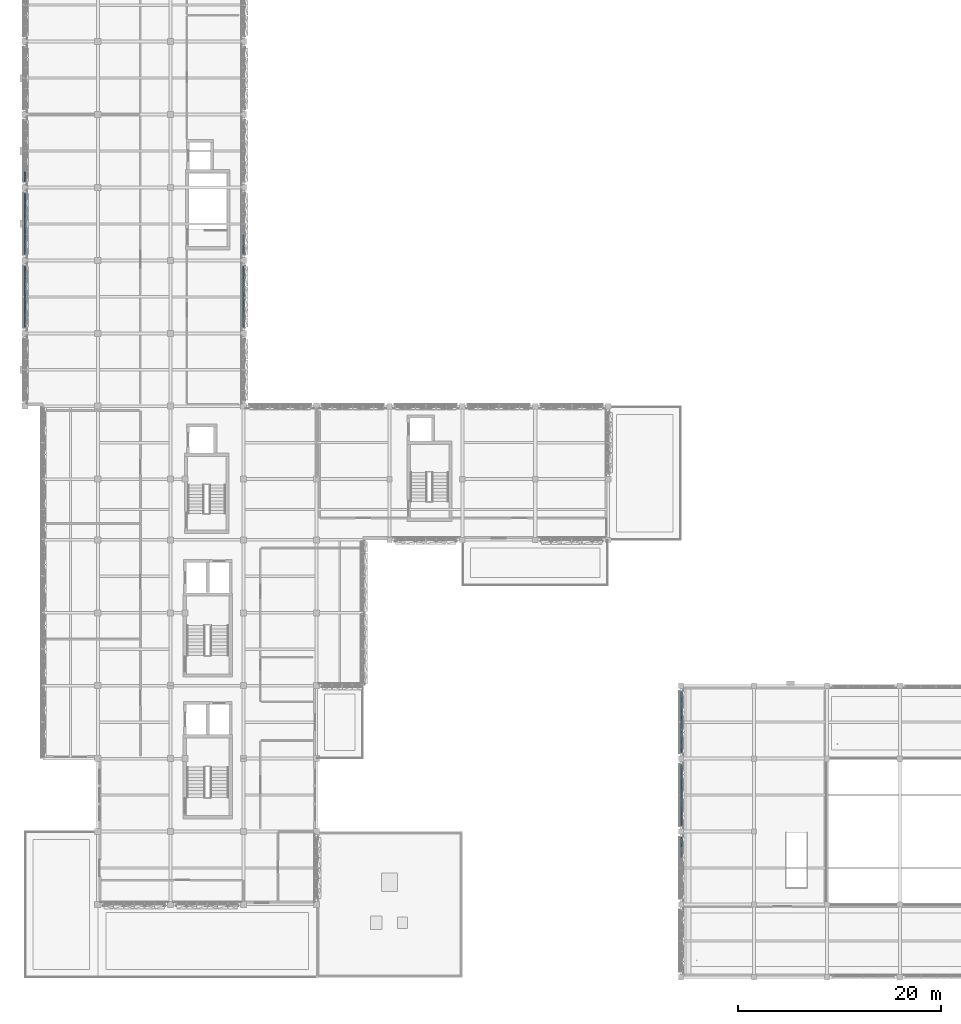
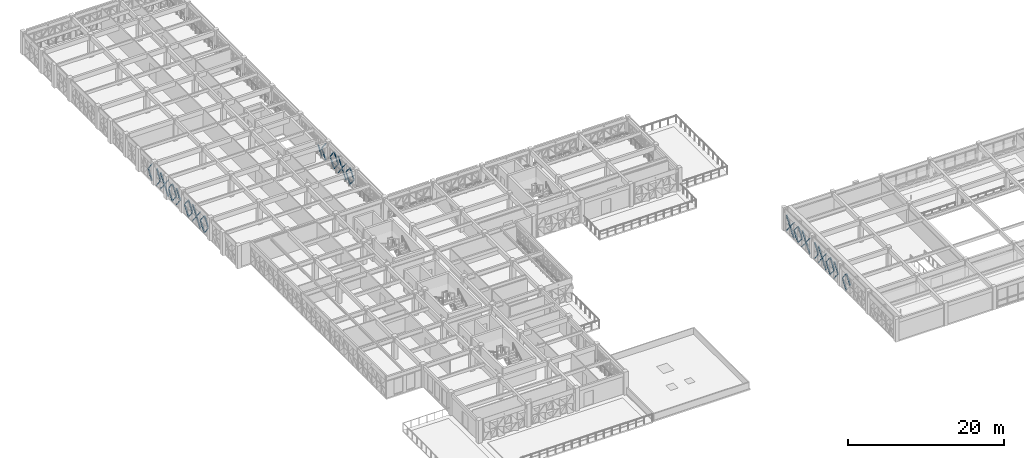
# One storey, part 48 of 74: 68 discrete accessories.
"""IFC4 building model written with IfcOpenShell, lengths in metres."""

from ifc_helpers import new_model, si_unit, direction, frame, origin, origin_2d, place, context, subcontext, project, spatial, rectangle, extrude, material, type_object, element, save


model = new_model("IFC4")

# Units and contexts
model_context = context("Model", 3, precision=1e-05, world=origin(), true_north=direction((0.0, 1.0)))
body_context = subcontext(model_context, "Body", "Model", "MODEL_VIEW")
ifc_project = project(units=[si_unit("LENGTHUNIT", "METRE"), si_unit("AREAUNIT", "SQUARE_METRE"), si_unit("VOLUMEUNIT", "CUBIC_METRE"), si_unit("PLANEANGLEUNIT", "RADIAN"), si_unit("MASSUNIT", "GRAM", prefix="KILO")], contexts=[model_context])

# Site, building, storey
site_placement = place(None, origin())
site = spatial("IfcSite", under=ifc_project, at=site_placement, CompositionType="ELEMENT")
building_placement = place(site_placement, origin())
building = spatial("IfcBuilding", under=site, at=building_placement, Name="Alvorim Cloister Faculty of Sciences", CompositionType="ELEMENT")
storey_placement = place(building_placement, frame((0.0, 0.0, 15.75)))
storey = spatial("IfcBuildingStorey", under=building, at=storey_placement, Name="L04", CompositionType="ELEMENT", Elevation=15.75)

# Discrete accessories
ifc_material = material(Name="Aluminium Alloy 6063-T6", Category="aluminium")
discrete_accessory_type = type_object("IfcDiscreteAccessoryType", Name="ACC-DIAG-BAR", PredefinedType="BRACKET", material=ifc_material)
discrete_accessory_1_placement = place(storey_placement, frame((0.0224609375, 64.205078125, 1.35498046875), z_axis=(0.006561428426, 0.604611624251, -0.796493397008), x_axis=(-0.999941118963, 0.010851663811, 0.0)))
element("IfcDiscreteAccessory", 1, at=discrete_accessory_1_placement, inside=storey, type_object=discrete_accessory_type, Name="Diagonal Cassette Glazing Bracket ACC-01829", PredefinedType="BRACKET", context=body_context, shape_type="SweptSolid", body=[
    extrude(rectangle(XDim=0.139892578125, YDim=0.044921875, at=origin_2d()), origin(), (0.0, 0.0, 1.0), 1.525634765625),
])
discrete_accessory_2_placement = place(storey_placement, frame((0.0224609375, 64.205078125, 1.4951171875), z_axis=(0.006562264866, 0.604688699088, 0.796434877359), x_axis=(-0.999941118963, 0.010851663811, 0.0)))
element("IfcDiscreteAccessory", 2, at=discrete_accessory_2_placement, inside=storey, type_object=discrete_accessory_type, Name="Diagonal Cassette Glazing Bracket ACC-01830", PredefinedType="BRACKET", context=body_context, shape_type="SweptSolid", body=[
    extrude(rectangle(XDim=0.139892578125, YDim=0.044921875, at=origin_2d()), origin(), (0.0, 0.0, 1.0), 1.525390625),
])
discrete_accessory_3_placement = place(storey_placement, frame((0.0224609375, 65.1923828125, 0.139892578125), z_axis=(0.006476523147, 0.617955086572, 0.786186724404), x_axis=(-0.999945083323, 0.010479997039, 0.0)))
element("IfcDiscreteAccessory", 3, at=discrete_accessory_3_placement, inside=storey, type_object=discrete_accessory_type, Name="Diagonal Cassette Glazing Bracket ACC-01831", PredefinedType="BRACKET", context=body_context, shape_type="SweptSolid", body=[
    extrude(rectangle(XDim=0.139892578125, YDim=0.044921875, at=origin_2d()), origin(), (0.0, 0.0, 1.0), 1.545654296875),
])
discrete_accessory_4_placement = place(storey_placement, frame((0.0224609375, 65.1923828125, 2.7099609375), z_axis=(0.00647732753, 0.618031836495, -0.786126385072), x_axis=(-0.999945083323, 0.010479997039, 0.0)))
element("IfcDiscreteAccessory", 4, at=discrete_accessory_4_placement, inside=storey, type_object=discrete_accessory_type, Name="Diagonal Cassette Glazing Bracket ACC-01832", PredefinedType="BRACKET", context=body_context, shape_type="SweptSolid", body=[
    extrude(rectangle(XDim=0.139892578125, YDim=0.044921875, at=origin_2d()), origin(), (0.0, 0.0, 1.0), 1.54541015625),
])
discrete_accessory_5_placement = place(storey_placement, frame((0.0224609375, 66.21240234375, 0.139892578125), z_axis=(0.006476523147, 0.617955086572, 0.786186724404), x_axis=(-0.999945083323, 0.010479997039, 0.0)))
element("IfcDiscreteAccessory", 5, at=discrete_accessory_5_placement, inside=storey, type_object=discrete_accessory_type, Name="Diagonal Cassette Glazing Bracket ACC-01833", PredefinedType="BRACKET", context=body_context, shape_type="SweptSolid", body=[
    extrude(rectangle(XDim=0.139892578125, YDim=0.044921875, at=origin_2d()), origin(), (0.0, 0.0, 1.0), 1.545654296875),
])
discrete_accessory_6_placement = place(storey_placement, frame((0.0224609375, 66.21240234375, 2.7099609375), z_axis=(0.00647732753, 0.618031836495, -0.786126385072), x_axis=(-0.999945083323, 0.010479997039, 0.0)))
element("IfcDiscreteAccessory", 6, at=discrete_accessory_6_placement, inside=storey, type_object=discrete_accessory_type, Name="Diagonal Cassette Glazing Bracket ACC-01834", PredefinedType="BRACKET", context=body_context, shape_type="SweptSolid", body=[
    extrude(rectangle(XDim=0.139892578125, YDim=0.044921875, at=origin_2d()), origin(), (0.0, 0.0, 1.0), 1.54541015625),
])
discrete_accessory_7_placement = place(storey_placement, frame((0.0224609375, 67.232421875, 1.35498046875), z_axis=(0.006476523147, 0.617955086572, -0.786186724404), x_axis=(-0.999945083323, 0.010479997039, 0.0)))
element("IfcDiscreteAccessory", 7, at=discrete_accessory_7_placement, inside=storey, type_object=discrete_accessory_type, Name="Diagonal Cassette Glazing Bracket ACC-01835", PredefinedType="BRACKET", context=body_context, shape_type="SweptSolid", body=[
    extrude(rectangle(XDim=0.139892578125, YDim=0.044921875, at=origin_2d()), origin(), (0.0, 0.0, 1.0), 1.545654296875),
])
discrete_accessory_8_placement = place(storey_placement, frame((0.0224609375, 67.232421875, 1.4951171875), z_axis=(0.00647732753, 0.618031836495, 0.786126385072), x_axis=(-0.999945083323, 0.010479997039, 0.0)))
element("IfcDiscreteAccessory", 8, at=discrete_accessory_8_placement, inside=storey, type_object=discrete_accessory_type, Name="Diagonal Cassette Glazing Bracket ACC-01836", PredefinedType="BRACKET", context=body_context, shape_type="SweptSolid", body=[
    extrude(rectangle(XDim=0.139892578125, YDim=0.044921875, at=origin_2d()), origin(), (0.0, 0.0, 1.0), 1.54541015625),
])
discrete_accessory_9_placement = place(storey_placement, frame((0.0224609375, 68.25244140625, 1.35498046875), z_axis=(0.006476523147, 0.617955086572, -0.786186724404), x_axis=(-0.999945083323, 0.010479997039, 0.0)))
element("IfcDiscreteAccessory", 9, at=discrete_accessory_9_placement, inside=storey, type_object=discrete_accessory_type, Name="Diagonal Cassette Glazing Bracket ACC-01837", PredefinedType="BRACKET", context=body_context, shape_type="SweptSolid", body=[
    extrude(rectangle(XDim=0.139892578125, YDim=0.044921875, at=origin_2d()), origin(), (0.0, 0.0, 1.0), 1.545654296875),
])
discrete_accessory_10_placement = place(storey_placement, frame((0.0224609375, 68.25244140625, 1.4951171875), z_axis=(0.00647732753, 0.618031836495, 0.786126385072), x_axis=(-0.999945083323, 0.010479997039, 0.0)))
element("IfcDiscreteAccessory", 10, at=discrete_accessory_10_placement, inside=storey, type_object=discrete_accessory_type, Name="Diagonal Cassette Glazing Bracket ACC-01838", PredefinedType="BRACKET", context=body_context, shape_type="SweptSolid", body=[
    extrude(rectangle(XDim=0.139892578125, YDim=0.044921875, at=origin_2d()), origin(), (0.0, 0.0, 1.0), 1.54541015625),
])
discrete_accessory_11_placement = place(storey_placement, frame((0.0224609375, 69.2724609375, 0.139892578125), z_axis=(0.006560793558, 0.604713142785, 0.796416330151), x_axis=(-0.999941150118, 0.010848792579, 0.0)))
element("IfcDiscreteAccessory", 11, at=discrete_accessory_11_placement, inside=storey, type_object=discrete_accessory_type, Name="Diagonal Cassette Glazing Bracket ACC-01839", PredefinedType="BRACKET", context=body_context, shape_type="SweptSolid", body=[
    extrude(rectangle(XDim=0.139892578125, YDim=0.044921875, at=origin_2d()), origin(), (0.0, 0.0, 1.0), 1.525634765625),
])
discrete_accessory_12_placement = place(storey_placement, frame((0.0224609375, 69.2724609375, 2.7099609375), z_axis=(0.006561629754, 0.604790215644, -0.796357796519), x_axis=(-0.999941150118, 0.010848792579, 0.0)))
element("IfcDiscreteAccessory", 12, at=discrete_accessory_12_placement, inside=storey, type_object=discrete_accessory_type, Name="Diagonal Cassette Glazing Bracket ACC-01840", PredefinedType="BRACKET", context=body_context, shape_type="SweptSolid", body=[
    extrude(rectangle(XDim=0.139892578125, YDim=0.044921875, at=origin_2d()), origin(), (0.0, 0.0, 1.0), 1.525390625),
])
discrete_accessory_13_placement = place(storey_placement, frame((0.0224609375, 71.405029296875, 1.35498046875), z_axis=(0.006561428426, 0.604611624251, -0.796493397008), x_axis=(-0.999941118963, 0.010851663811, 0.0)))
element("IfcDiscreteAccessory", 13, at=discrete_accessory_13_placement, inside=storey, type_object=discrete_accessory_type, Name="Diagonal Cassette Glazing Bracket ACC-01842", PredefinedType="BRACKET", context=body_context, shape_type="SweptSolid", body=[
    extrude(rectangle(XDim=0.139892578125, YDim=0.044921875, at=origin_2d()), origin(), (0.0, 0.0, 1.0), 1.525634765625),
])
discrete_accessory_14_placement = place(storey_placement, frame((0.0224609375, 71.405029296875, 1.4951171875), z_axis=(0.006562264866, 0.604688699088, 0.796434877359), x_axis=(-0.999941118963, 0.010851663811, 0.0)))
element("IfcDiscreteAccessory", 14, at=discrete_accessory_14_placement, inside=storey, type_object=discrete_accessory_type, Name="Diagonal Cassette Glazing Bracket ACC-01843", PredefinedType="BRACKET", context=body_context, shape_type="SweptSolid", body=[
    extrude(rectangle(XDim=0.139892578125, YDim=0.044921875, at=origin_2d()), origin(), (0.0, 0.0, 1.0), 1.525390625),
])
discrete_accessory_15_placement = place(storey_placement, frame((0.0224609375, 72.392578125, 1.35498046875), z_axis=(0.006477155362, 0.61785742976, -0.786263469168), x_axis=(-0.999945055239, 0.010482676365, 0.0)))
element("IfcDiscreteAccessory", 15, at=discrete_accessory_15_placement, inside=storey, type_object=discrete_accessory_type, Name="Diagonal Cassette Glazing Bracket ACC-01844", PredefinedType="BRACKET", context=body_context, shape_type="SweptSolid", body=[
    extrude(rectangle(XDim=0.139892578125, YDim=0.044921875, at=origin_2d()), origin(), (0.0, 0.0, 1.0), 1.54541015625),
])
discrete_accessory_16_placement = place(storey_placement, frame((0.0224609375, 72.392578125, 1.4951171875), z_axis=(0.006477959981, 0.61793418254, 0.786203143012), x_axis=(-0.999945055239, 0.010482676365, 0.0)))
element("IfcDiscreteAccessory", 16, at=discrete_accessory_16_placement, inside=storey, type_object=discrete_accessory_type, Name="Diagonal Cassette Glazing Bracket ACC-01845", PredefinedType="BRACKET", context=body_context, shape_type="SweptSolid", body=[
    extrude(rectangle(XDim=0.139892578125, YDim=0.044921875, at=origin_2d()), origin(), (0.0, 0.0, 1.0), 1.545166015625),
])
discrete_accessory_17_placement = place(storey_placement, frame((0.0224609375, 73.41259765625, 0.139892578125), z_axis=(0.006477155362, 0.61785742976, 0.786263469168), x_axis=(-0.999945055239, 0.010482676365, 0.0)))
element("IfcDiscreteAccessory", 17, at=discrete_accessory_17_placement, inside=storey, type_object=discrete_accessory_type, Name="Diagonal Cassette Glazing Bracket ACC-01846", PredefinedType="BRACKET", context=body_context, shape_type="SweptSolid", body=[
    extrude(rectangle(XDim=0.139892578125, YDim=0.044921875, at=origin_2d()), origin(), (0.0, 0.0, 1.0), 1.54541015625),
])
discrete_accessory_18_placement = place(storey_placement, frame((0.0224609375, 73.41259765625, 2.7099609375), z_axis=(0.006477959981, 0.61793418254, -0.786203143012), x_axis=(-0.999945055239, 0.010482676365, 0.0)))
element("IfcDiscreteAccessory", 18, at=discrete_accessory_18_placement, inside=storey, type_object=discrete_accessory_type, Name="Diagonal Cassette Glazing Bracket ACC-01847", PredefinedType="BRACKET", context=body_context, shape_type="SweptSolid", body=[
    extrude(rectangle(XDim=0.139892578125, YDim=0.044921875, at=origin_2d()), origin(), (0.0, 0.0, 1.0), 1.545166015625),
])
discrete_accessory_19_placement = place(storey_placement, frame((0.0224609375, 74.4326171875, 0.139892578125), z_axis=(0.006477155362, 0.61785742976, 0.786263469168), x_axis=(-0.999945055239, 0.010482676365, 0.0)))
element("IfcDiscreteAccessory", 19, at=discrete_accessory_19_placement, inside=storey, type_object=discrete_accessory_type, Name="Diagonal Cassette Glazing Bracket ACC-01848", PredefinedType="BRACKET", context=body_context, shape_type="SweptSolid", body=[
    extrude(rectangle(XDim=0.139892578125, YDim=0.044921875, at=origin_2d()), origin(), (0.0, 0.0, 1.0), 1.54541015625),
])
discrete_accessory_20_placement = place(storey_placement, frame((0.0224609375, 74.4326171875, 2.7099609375), z_axis=(0.006477959981, 0.61793418254, -0.786203143012), x_axis=(-0.999945055239, 0.010482676365, 0.0)))
element("IfcDiscreteAccessory", 20, at=discrete_accessory_20_placement, inside=storey, type_object=discrete_accessory_type, Name="Diagonal Cassette Glazing Bracket ACC-01849", PredefinedType="BRACKET", context=body_context, shape_type="SweptSolid", body=[
    extrude(rectangle(XDim=0.139892578125, YDim=0.044921875, at=origin_2d()), origin(), (0.0, 0.0, 1.0), 1.545166015625),
])
discrete_accessory_21_placement = place(storey_placement, frame((0.0224609375, 75.452392578125, 1.35498046875), z_axis=(0.006476523147, 0.617955086572, -0.786186724404), x_axis=(-0.999945083323, 0.010479997039, 0.0)))
element("IfcDiscreteAccessory", 21, at=discrete_accessory_21_placement, inside=storey, type_object=discrete_accessory_type, Name="Diagonal Cassette Glazing Bracket ACC-01850", PredefinedType="BRACKET", context=body_context, shape_type="SweptSolid", body=[
    extrude(rectangle(XDim=0.139892578125, YDim=0.044921875, at=origin_2d()), origin(), (0.0, 0.0, 1.0), 1.545654296875),
])
discrete_accessory_22_placement = place(storey_placement, frame((0.0224609375, 75.452392578125, 1.4951171875), z_axis=(0.00647732753, 0.618031836495, 0.786126385072), x_axis=(-0.999945083323, 0.010479997039, 0.0)))
element("IfcDiscreteAccessory", 22, at=discrete_accessory_22_placement, inside=storey, type_object=discrete_accessory_type, Name="Diagonal Cassette Glazing Bracket ACC-01851", PredefinedType="BRACKET", context=body_context, shape_type="SweptSolid", body=[
    extrude(rectangle(XDim=0.139892578125, YDim=0.044921875, at=origin_2d()), origin(), (0.0, 0.0, 1.0), 1.54541015625),
])
discrete_accessory_23_placement = place(storey_placement, frame((0.0224609375, 76.472412109375, 1.35498046875), z_axis=(0.006560793558, 0.604713142785, -0.796416330151), x_axis=(-0.999941150118, 0.010848792579, 0.0)))
element("IfcDiscreteAccessory", 23, at=discrete_accessory_23_placement, inside=storey, type_object=discrete_accessory_type, Name="Diagonal Cassette Glazing Bracket ACC-01852", PredefinedType="BRACKET", context=body_context, shape_type="SweptSolid", body=[
    extrude(rectangle(XDim=0.139892578125, YDim=0.044921875, at=origin_2d()), origin(), (0.0, 0.0, 1.0), 1.525634765625),
])
discrete_accessory_24_placement = place(storey_placement, frame((0.0224609375, 76.472412109375, 1.4951171875), z_axis=(0.006561629754, 0.604790215644, 0.796357796519), x_axis=(-0.999941150118, 0.010848792579, 0.0)))
element("IfcDiscreteAccessory", 24, at=discrete_accessory_24_placement, inside=storey, type_object=discrete_accessory_type, Name="Diagonal Cassette Glazing Bracket ACC-01853", PredefinedType="BRACKET", context=body_context, shape_type="SweptSolid", body=[
    extrude(rectangle(XDim=0.139892578125, YDim=0.044921875, at=origin_2d()), origin(), (0.0, 0.0, 1.0), 1.525390625),
])
discrete_accessory_25_placement = place(storey_placement, frame((0.0224609375, 78.60498046875, 0.139892578125), z_axis=(0.006560793558, 0.604713142785, 0.796416330151), x_axis=(-0.999941150118, 0.010848792579, 0.0)))
element("IfcDiscreteAccessory", 25, at=discrete_accessory_25_placement, inside=storey, type_object=discrete_accessory_type, Name="Diagonal Cassette Glazing Bracket ACC-01855", PredefinedType="BRACKET", context=body_context, shape_type="SweptSolid", body=[
    extrude(rectangle(XDim=0.139892578125, YDim=0.044921875, at=origin_2d()), origin(), (0.0, 0.0, 1.0), 1.525634765625),
])
discrete_accessory_26_placement = place(storey_placement, frame((0.0224609375, 78.60498046875, 2.7099609375), z_axis=(0.006561629754, 0.604790215644, -0.796357796519), x_axis=(-0.999941150118, 0.010848792579, 0.0)))
element("IfcDiscreteAccessory", 26, at=discrete_accessory_26_placement, inside=storey, type_object=discrete_accessory_type, Name="Diagonal Cassette Glazing Bracket ACC-01856", PredefinedType="BRACKET", context=body_context, shape_type="SweptSolid", body=[
    extrude(rectangle(XDim=0.139892578125, YDim=0.044921875, at=origin_2d()), origin(), (0.0, 0.0, 1.0), 1.525390625),
])
discrete_accessory_27_placement = place(storey_placement, frame((21.577392578125, 71.405029296875, 0.139892578125), z_axis=(-0.006561428426, 0.604611624251, 0.796493397008), x_axis=(-0.999941118963, -0.010851663811, 0.0)))
element("IfcDiscreteAccessory", 27, at=discrete_accessory_27_placement, inside=storey, type_object=discrete_accessory_type, Name="Diagonal Cassette Glazing Bracket ACC-02012", PredefinedType="BRACKET", context=body_context, shape_type="SweptSolid", body=[
    extrude(rectangle(XDim=0.139892578125, YDim=0.044921875, at=origin_2d()), origin(), (0.0, 0.0, 1.0), 1.525634765625),
])
discrete_accessory_28_placement = place(storey_placement, frame((21.577392578125, 71.405029296875, 2.7099609375), z_axis=(-0.006562264866, 0.604688699088, -0.796434877359), x_axis=(-0.999941118963, -0.010851663811, 0.0)))
element("IfcDiscreteAccessory", 28, at=discrete_accessory_28_placement, inside=storey, type_object=discrete_accessory_type, Name="Diagonal Cassette Glazing Bracket ACC-02013", PredefinedType="BRACKET", context=body_context, shape_type="SweptSolid", body=[
    extrude(rectangle(XDim=0.139892578125, YDim=0.044921875, at=origin_2d()), origin(), (0.0, 0.0, 1.0), 1.525390625),
])
discrete_accessory_29_placement = place(storey_placement, frame((21.577392578125, 72.392578125, 0.139892578125), z_axis=(-0.006477155362, 0.61785742976, 0.786263469168), x_axis=(-0.999945055239, -0.010482676365, 0.0)))
element("IfcDiscreteAccessory", 29, at=discrete_accessory_29_placement, inside=storey, type_object=discrete_accessory_type, Name="Diagonal Cassette Glazing Bracket ACC-02014", PredefinedType="BRACKET", context=body_context, shape_type="SweptSolid", body=[
    extrude(rectangle(XDim=0.139892578125, YDim=0.044921875, at=origin_2d()), origin(), (0.0, 0.0, 1.0), 1.54541015625),
])
discrete_accessory_30_placement = place(storey_placement, frame((21.577392578125, 64.205078125, 1.35498046875), z_axis=(-0.006561428426, 0.604611624251, -0.796493397008), x_axis=(-0.999941118963, -0.010851663811, 0.0)))
element("IfcDiscreteAccessory", 30, at=discrete_accessory_30_placement, inside=storey, type_object=discrete_accessory_type, Name="Diagonal Cassette Glazing Bracket ACC-02025", PredefinedType="BRACKET", context=body_context, shape_type="SweptSolid", body=[
    extrude(rectangle(XDim=0.139892578125, YDim=0.044921875, at=origin_2d()), origin(), (0.0, 0.0, 1.0), 1.525634765625),
])
discrete_accessory_31_placement = place(storey_placement, frame((21.577392578125, 64.205078125, 1.4951171875), z_axis=(-0.006562264866, 0.604688699088, 0.796434877359), x_axis=(-0.999941118963, -0.010851663811, 0.0)))
element("IfcDiscreteAccessory", 31, at=discrete_accessory_31_placement, inside=storey, type_object=discrete_accessory_type, Name="Diagonal Cassette Glazing Bracket ACC-02026", PredefinedType="BRACKET", context=body_context, shape_type="SweptSolid", body=[
    extrude(rectangle(XDim=0.139892578125, YDim=0.044921875, at=origin_2d()), origin(), (0.0, 0.0, 1.0), 1.525390625),
])
discrete_accessory_32_placement = place(storey_placement, frame((21.577392578125, 65.1923828125, 0.139892578125), z_axis=(-0.006476523147, 0.617955086572, 0.786186724404), x_axis=(-0.999945083323, -0.010479997039, 0.0)))
element("IfcDiscreteAccessory", 32, at=discrete_accessory_32_placement, inside=storey, type_object=discrete_accessory_type, Name="Diagonal Cassette Glazing Bracket ACC-02027", PredefinedType="BRACKET", context=body_context, shape_type="SweptSolid", body=[
    extrude(rectangle(XDim=0.139892578125, YDim=0.044921875, at=origin_2d()), origin(), (0.0, 0.0, 1.0), 1.545654296875),
])
discrete_accessory_33_placement = place(storey_placement, frame((21.577392578125, 65.1923828125, 2.7099609375), z_axis=(-0.00647732753, 0.618031836495, -0.786126385072), x_axis=(-0.999945083323, -0.010479997039, 0.0)))
element("IfcDiscreteAccessory", 33, at=discrete_accessory_33_placement, inside=storey, type_object=discrete_accessory_type, Name="Diagonal Cassette Glazing Bracket ACC-02028", PredefinedType="BRACKET", context=body_context, shape_type="SweptSolid", body=[
    extrude(rectangle(XDim=0.139892578125, YDim=0.044921875, at=origin_2d()), origin(), (0.0, 0.0, 1.0), 1.54541015625),
])
discrete_accessory_34_placement = place(storey_placement, frame((21.577392578125, 66.21240234375, 0.139892578125), z_axis=(-0.006476523147, 0.617955086572, 0.786186724404), x_axis=(-0.999945083323, -0.010479997039, 0.0)))
element("IfcDiscreteAccessory", 34, at=discrete_accessory_34_placement, inside=storey, type_object=discrete_accessory_type, Name="Diagonal Cassette Glazing Bracket ACC-02029", PredefinedType="BRACKET", context=body_context, shape_type="SweptSolid", body=[
    extrude(rectangle(XDim=0.139892578125, YDim=0.044921875, at=origin_2d()), origin(), (0.0, 0.0, 1.0), 1.545654296875),
])
discrete_accessory_35_placement = place(storey_placement, frame((21.577392578125, 66.21240234375, 2.7099609375), z_axis=(-0.00647732753, 0.618031836495, -0.786126385072), x_axis=(-0.999945083323, -0.010479997039, 0.0)))
element("IfcDiscreteAccessory", 35, at=discrete_accessory_35_placement, inside=storey, type_object=discrete_accessory_type, Name="Diagonal Cassette Glazing Bracket ACC-02030", PredefinedType="BRACKET", context=body_context, shape_type="SweptSolid", body=[
    extrude(rectangle(XDim=0.139892578125, YDim=0.044921875, at=origin_2d()), origin(), (0.0, 0.0, 1.0), 1.54541015625),
])
discrete_accessory_36_placement = place(storey_placement, frame((21.577392578125, 67.232421875, 1.35498046875), z_axis=(-0.006476523147, 0.617955086572, -0.786186724404), x_axis=(-0.999945083323, -0.010479997039, 0.0)))
element("IfcDiscreteAccessory", 36, at=discrete_accessory_36_placement, inside=storey, type_object=discrete_accessory_type, Name="Diagonal Cassette Glazing Bracket ACC-02031", PredefinedType="BRACKET", context=body_context, shape_type="SweptSolid", body=[
    extrude(rectangle(XDim=0.139892578125, YDim=0.044921875, at=origin_2d()), origin(), (0.0, 0.0, 1.0), 1.545654296875),
])
discrete_accessory_37_placement = place(storey_placement, frame((21.577392578125, 67.232421875, 1.4951171875), z_axis=(-0.00647732753, 0.618031836495, 0.786126385072), x_axis=(-0.999945083323, -0.010479997039, 0.0)))
element("IfcDiscreteAccessory", 37, at=discrete_accessory_37_placement, inside=storey, type_object=discrete_accessory_type, Name="Diagonal Cassette Glazing Bracket ACC-02032", PredefinedType="BRACKET", context=body_context, shape_type="SweptSolid", body=[
    extrude(rectangle(XDim=0.139892578125, YDim=0.044921875, at=origin_2d()), origin(), (0.0, 0.0, 1.0), 1.54541015625),
])
discrete_accessory_38_placement = place(storey_placement, frame((21.577392578125, 68.25244140625, 1.35498046875), z_axis=(-0.006476523147, 0.617955086572, -0.786186724404), x_axis=(-0.999945083323, -0.010479997039, 0.0)))
element("IfcDiscreteAccessory", 38, at=discrete_accessory_38_placement, inside=storey, type_object=discrete_accessory_type, Name="Diagonal Cassette Glazing Bracket ACC-02033", PredefinedType="BRACKET", context=body_context, shape_type="SweptSolid", body=[
    extrude(rectangle(XDim=0.139892578125, YDim=0.044921875, at=origin_2d()), origin(), (0.0, 0.0, 1.0), 1.545654296875),
])
discrete_accessory_39_placement = place(storey_placement, frame((21.577392578125, 68.25244140625, 1.4951171875), z_axis=(-0.00647732753, 0.618031836495, 0.786126385072), x_axis=(-0.999945083323, -0.010479997039, 0.0)))
element("IfcDiscreteAccessory", 39, at=discrete_accessory_39_placement, inside=storey, type_object=discrete_accessory_type, Name="Diagonal Cassette Glazing Bracket ACC-02034", PredefinedType="BRACKET", context=body_context, shape_type="SweptSolid", body=[
    extrude(rectangle(XDim=0.139892578125, YDim=0.044921875, at=origin_2d()), origin(), (0.0, 0.0, 1.0), 1.54541015625),
])
discrete_accessory_40_placement = place(storey_placement, frame((21.577392578125, 69.2724609375, 0.139892578125), z_axis=(-0.006560793558, 0.604713142785, 0.796416330151), x_axis=(-0.999941150118, -0.010848792579, 0.0)))
element("IfcDiscreteAccessory", 40, at=discrete_accessory_40_placement, inside=storey, type_object=discrete_accessory_type, Name="Diagonal Cassette Glazing Bracket ACC-02035", PredefinedType="BRACKET", context=body_context, shape_type="SweptSolid", body=[
    extrude(rectangle(XDim=0.139892578125, YDim=0.044921875, at=origin_2d()), origin(), (0.0, 0.0, 1.0), 1.525634765625),
])
discrete_accessory_41_placement = place(storey_placement, frame((21.577392578125, 69.2724609375, 2.7099609375), z_axis=(-0.006561629754, 0.604790215644, -0.796357796519), x_axis=(-0.999941150118, -0.010848792579, 0.0)))
element("IfcDiscreteAccessory", 41, at=discrete_accessory_41_placement, inside=storey, type_object=discrete_accessory_type, Name="Diagonal Cassette Glazing Bracket ACC-02036", PredefinedType="BRACKET", context=body_context, shape_type="SweptSolid", body=[
    extrude(rectangle(XDim=0.139892578125, YDim=0.044921875, at=origin_2d()), origin(), (0.0, 0.0, 1.0), 1.525390625),
])
discrete_accessory_42_placement = place(storey_placement, frame((64.822509765625, 11.8525390625, 1.4951171875), z_axis=(0.00647732753, 0.618031836495, 0.786126385072), x_axis=(-0.999945083323, 0.010479997039, 0.0)))
element("IfcDiscreteAccessory", 42, at=discrete_accessory_42_placement, inside=storey, type_object=discrete_accessory_type, Name="Diagonal Cassette Glazing Bracket ACC-02251", PredefinedType="BRACKET", context=body_context, shape_type="SweptSolid", body=[
    extrude(rectangle(XDim=0.139892578125, YDim=0.044921875, at=origin_2d()), origin(), (0.0, 0.0, 1.0), 1.54541015625),
])
discrete_accessory_43_placement = place(storey_placement, frame((64.822509765625, 12.87255859375, 0.139892578125), z_axis=(0.006561428426, 0.604611624251, 0.796493397008), x_axis=(-0.999941118963, 0.010851663811, 0.0)))
element("IfcDiscreteAccessory", 43, at=discrete_accessory_43_placement, inside=storey, type_object=discrete_accessory_type, Name="Diagonal Cassette Glazing Bracket ACC-02252", PredefinedType="BRACKET", context=body_context, shape_type="SweptSolid", body=[
    extrude(rectangle(XDim=0.139892578125, YDim=0.044921875, at=origin_2d()), origin(), (0.0, 0.0, 1.0), 1.525634765625),
])
discrete_accessory_44_placement = place(storey_placement, frame((64.822509765625, 12.87255859375, 2.7099609375), z_axis=(0.006562264866, 0.604688699088, -0.796434877359), x_axis=(-0.999941118963, 0.010851663811, 0.0)))
element("IfcDiscreteAccessory", 44, at=discrete_accessory_44_placement, inside=storey, type_object=discrete_accessory_type, Name="Diagonal Cassette Glazing Bracket ACC-02253", PredefinedType="BRACKET", context=body_context, shape_type="SweptSolid", body=[
    extrude(rectangle(XDim=0.139892578125, YDim=0.044921875, at=origin_2d()), origin(), (0.0, 0.0, 1.0), 1.525390625),
])
discrete_accessory_45_placement = place(storey_placement, frame((64.822509765625, 15.0048828125, 1.35498046875), z_axis=(0.006560793558, 0.604713142785, -0.796416330151), x_axis=(-0.999941150118, 0.010848792579, 0.0)))
element("IfcDiscreteAccessory", 45, at=discrete_accessory_45_placement, inside=storey, type_object=discrete_accessory_type, Name="Diagonal Cassette Glazing Bracket ACC-02255", PredefinedType="BRACKET", context=body_context, shape_type="SweptSolid", body=[
    extrude(rectangle(XDim=0.139892578125, YDim=0.044921875, at=origin_2d()), origin(), (0.0, 0.0, 1.0), 1.525634765625),
])
discrete_accessory_46_placement = place(storey_placement, frame((64.822509765625, 15.0048828125, 1.4951171875), z_axis=(0.006561629754, 0.604790215644, 0.796357796519), x_axis=(-0.999941150118, 0.010848792579, 0.0)))
element("IfcDiscreteAccessory", 46, at=discrete_accessory_46_placement, inside=storey, type_object=discrete_accessory_type, Name="Diagonal Cassette Glazing Bracket ACC-02256", PredefinedType="BRACKET", context=body_context, shape_type="SweptSolid", body=[
    extrude(rectangle(XDim=0.139892578125, YDim=0.044921875, at=origin_2d()), origin(), (0.0, 0.0, 1.0), 1.525390625),
])
discrete_accessory_47_placement = place(storey_placement, frame((64.822509765625, 15.992431640625, 1.35498046875), z_axis=(0.006476523147, 0.617955086572, -0.786186724404), x_axis=(-0.999945083323, 0.010479997039, 0.0)))
element("IfcDiscreteAccessory", 47, at=discrete_accessory_47_placement, inside=storey, type_object=discrete_accessory_type, Name="Diagonal Cassette Glazing Bracket ACC-02257", PredefinedType="BRACKET", context=body_context, shape_type="SweptSolid", body=[
    extrude(rectangle(XDim=0.139892578125, YDim=0.044921875, at=origin_2d()), origin(), (0.0, 0.0, 1.0), 1.545654296875),
])
discrete_accessory_48_placement = place(storey_placement, frame((64.822509765625, 15.992431640625, 1.4951171875), z_axis=(0.00647732753, 0.618031836495, 0.786126385072), x_axis=(-0.999945083323, 0.010479997039, 0.0)))
element("IfcDiscreteAccessory", 48, at=discrete_accessory_48_placement, inside=storey, type_object=discrete_accessory_type, Name="Diagonal Cassette Glazing Bracket ACC-02258", PredefinedType="BRACKET", context=body_context, shape_type="SweptSolid", body=[
    extrude(rectangle(XDim=0.139892578125, YDim=0.044921875, at=origin_2d()), origin(), (0.0, 0.0, 1.0), 1.54541015625),
])
discrete_accessory_49_placement = place(storey_placement, frame((64.822509765625, 17.012451171875, 0.139892578125), z_axis=(0.006476523147, 0.617955086572, 0.786186724404), x_axis=(-0.999945083323, 0.010479997039, 0.0)))
element("IfcDiscreteAccessory", 49, at=discrete_accessory_49_placement, inside=storey, type_object=discrete_accessory_type, Name="Diagonal Cassette Glazing Bracket ACC-02259", PredefinedType="BRACKET", context=body_context, shape_type="SweptSolid", body=[
    extrude(rectangle(XDim=0.139892578125, YDim=0.044921875, at=origin_2d()), origin(), (0.0, 0.0, 1.0), 1.545654296875),
])
discrete_accessory_50_placement = place(storey_placement, frame((64.822509765625, 17.012451171875, 2.7099609375), z_axis=(0.00647732753, 0.618031836495, -0.786126385072), x_axis=(-0.999945083323, 0.010479997039, 0.0)))
element("IfcDiscreteAccessory", 50, at=discrete_accessory_50_placement, inside=storey, type_object=discrete_accessory_type, Name="Diagonal Cassette Glazing Bracket ACC-02260", PredefinedType="BRACKET", context=body_context, shape_type="SweptSolid", body=[
    extrude(rectangle(XDim=0.139892578125, YDim=0.044921875, at=origin_2d()), origin(), (0.0, 0.0, 1.0), 1.54541015625),
])
discrete_accessory_51_placement = place(storey_placement, frame((64.822509765625, 18.032470703125, 0.139892578125), z_axis=(0.006476523147, 0.617955086572, 0.786186724404), x_axis=(-0.999945083323, 0.010479997039, 0.0)))
element("IfcDiscreteAccessory", 51, at=discrete_accessory_51_placement, inside=storey, type_object=discrete_accessory_type, Name="Diagonal Cassette Glazing Bracket ACC-02261", PredefinedType="BRACKET", context=body_context, shape_type="SweptSolid", body=[
    extrude(rectangle(XDim=0.139892578125, YDim=0.044921875, at=origin_2d()), origin(), (0.0, 0.0, 1.0), 1.545654296875),
])
discrete_accessory_52_placement = place(storey_placement, frame((64.822509765625, 18.032470703125, 2.7099609375), z_axis=(0.00647732753, 0.618031836495, -0.786126385072), x_axis=(-0.999945083323, 0.010479997039, 0.0)))
element("IfcDiscreteAccessory", 52, at=discrete_accessory_52_placement, inside=storey, type_object=discrete_accessory_type, Name="Diagonal Cassette Glazing Bracket ACC-02262", PredefinedType="BRACKET", context=body_context, shape_type="SweptSolid", body=[
    extrude(rectangle(XDim=0.139892578125, YDim=0.044921875, at=origin_2d()), origin(), (0.0, 0.0, 1.0), 1.54541015625),
])
discrete_accessory_53_placement = place(storey_placement, frame((64.822509765625, 19.052490234375, 1.35498046875), z_axis=(0.006476523147, 0.617955086572, -0.786186724404), x_axis=(-0.999945083323, 0.010479997039, 0.0)))
element("IfcDiscreteAccessory", 53, at=discrete_accessory_53_placement, inside=storey, type_object=discrete_accessory_type, Name="Diagonal Cassette Glazing Bracket ACC-02263", PredefinedType="BRACKET", context=body_context, shape_type="SweptSolid", body=[
    extrude(rectangle(XDim=0.139892578125, YDim=0.044921875, at=origin_2d()), origin(), (0.0, 0.0, 1.0), 1.545654296875),
])
discrete_accessory_54_placement = place(storey_placement, frame((64.822509765625, 19.052490234375, 1.4951171875), z_axis=(0.00647732753, 0.618031836495, 0.786126385072), x_axis=(-0.999945083323, 0.010479997039, 0.0)))
element("IfcDiscreteAccessory", 54, at=discrete_accessory_54_placement, inside=storey, type_object=discrete_accessory_type, Name="Diagonal Cassette Glazing Bracket ACC-02264", PredefinedType="BRACKET", context=body_context, shape_type="SweptSolid", body=[
    extrude(rectangle(XDim=0.139892578125, YDim=0.044921875, at=origin_2d()), origin(), (0.0, 0.0, 1.0), 1.54541015625),
])
discrete_accessory_55_placement = place(storey_placement, frame((64.822509765625, 20.072509765625, 1.35498046875), z_axis=(0.006560793558, 0.604713142785, -0.796416330151), x_axis=(-0.999941150118, 0.010848792579, 0.0)))
element("IfcDiscreteAccessory", 55, at=discrete_accessory_55_placement, inside=storey, type_object=discrete_accessory_type, Name="Diagonal Cassette Glazing Bracket ACC-02265", PredefinedType="BRACKET", context=body_context, shape_type="SweptSolid", body=[
    extrude(rectangle(XDim=0.139892578125, YDim=0.044921875, at=origin_2d()), origin(), (0.0, 0.0, 1.0), 1.525634765625),
])
discrete_accessory_56_placement = place(storey_placement, frame((64.822509765625, 20.072509765625, 1.4951171875), z_axis=(0.006561629754, 0.604790215644, 0.796357796519), x_axis=(-0.999941150118, 0.010848792579, 0.0)))
element("IfcDiscreteAccessory", 56, at=discrete_accessory_56_placement, inside=storey, type_object=discrete_accessory_type, Name="Diagonal Cassette Glazing Bracket ACC-02266", PredefinedType="BRACKET", context=body_context, shape_type="SweptSolid", body=[
    extrude(rectangle(XDim=0.139892578125, YDim=0.044921875, at=origin_2d()), origin(), (0.0, 0.0, 1.0), 1.525390625),
])
for number, where, z_axis, x_axis, name in (
    (57, (64.822509765625, 22.205078125, 0.139892578125), (0.006743901417, 0.621425842725, 0.783443962123), (-0.999941118963, 0.010851663811, 0.0), "Diagonal Cassette Glazing Bracket ACC-02268"),
    (58, (64.822509765625, 22.205078125, 2.605712890625), (0.006743901417, 0.621425842725, -0.783443962123), (-0.999941118963, 0.010851663811, 0.0), "Diagonal Cassette Glazing Bracket ACC-02269"),
):
    element("IfcDiscreteAccessory", number, at=place(storey_placement, frame(where, z_axis=z_axis, x_axis=x_axis)), inside=storey, type_object=discrete_accessory_type, Name=name, PredefinedType="BRACKET", context=body_context, shape_type="SweptSolid", body=[
        extrude(rectangle(XDim=0.139892578125, YDim=0.044921875, at=origin_2d()), origin(), (0.0, 0.0, 1.0), 1.484375),
    ])
for number, where, z_axis, x_axis, name in (
    (59, (64.822509765625, 23.1923828125, 1.302734375), (0.006651814033, 0.634680402339, -0.772746103359), (-0.999945083323, 0.010479997039, 0.0), "Diagonal Cassette Glazing Bracket ACC-02270"),
    (60, (64.822509765625, 23.1923828125, 1.44287109375), (0.006651814033, 0.634680402339, 0.772746103359), (-0.999945083323, 0.010479997039, 0.0), "Diagonal Cassette Glazing Bracket ACC-02271"),
    (61, (64.822509765625, 24.21240234375, 1.302734375), (0.006651814033, 0.634680402339, -0.772746103359), (-0.999945083323, 0.010479997039, 0.0), "Diagonal Cassette Glazing Bracket ACC-02272"),
    (62, (64.822509765625, 24.21240234375, 1.44287109375), (0.006651814033, 0.634680402339, 0.772746103359), (-0.999945083323, 0.010479997039, 0.0), "Diagonal Cassette Glazing Bracket ACC-02273"),
    (63, (64.822509765625, 25.232421875, 0.139892578125), (0.006651814033, 0.634680402339, 0.772746103359), (-0.999945083323, 0.010479997039, 0.0), "Diagonal Cassette Glazing Bracket ACC-02274"),
    (64, (64.822509765625, 25.232421875, 2.605712890625), (0.006651814033, 0.634680402339, -0.772746103359), (-0.999945083323, 0.010479997039, 0.0), "Diagonal Cassette Glazing Bracket ACC-02275"),
    (65, (64.822509765625, 26.25244140625, 0.139892578125), (0.006651814033, 0.634680402339, 0.772746103359), (-0.999945083323, 0.010479997039, 0.0), "Diagonal Cassette Glazing Bracket ACC-02276"),
    (66, (64.822509765625, 26.25244140625, 2.605712890625), (0.006651814033, 0.634680402339, -0.772746103359), (-0.999945083323, 0.010479997039, 0.0), "Diagonal Cassette Glazing Bracket ACC-02277"),
):
    element("IfcDiscreteAccessory", number, at=place(storey_placement, frame(where, z_axis=z_axis, x_axis=x_axis)), inside=storey, type_object=discrete_accessory_type, Name=name, PredefinedType="BRACKET", context=body_context, shape_type="SweptSolid", body=[
        extrude(rectangle(XDim=0.139892578125, YDim=0.044921875, at=origin_2d()), origin(), (0.0, 0.0, 1.0), 1.5048828125),
    ])
for number, where, z_axis, x_axis, name in (
    (67, (64.822509765625, 27.2724609375, 1.302734375), (0.0067432121, 0.621526793307, -0.783363883705), (-0.999941150118, 0.010848792579, 0.0), "Diagonal Cassette Glazing Bracket ACC-02278"),
    (68, (64.822509765625, 27.2724609375, 1.44287109375), (0.0067432121, 0.621526793307, 0.783363883705), (-0.999941150118, 0.010848792579, 0.0), "Diagonal Cassette Glazing Bracket ACC-02279"),
):
    element("IfcDiscreteAccessory", number, at=place(storey_placement, frame(where, z_axis=z_axis, x_axis=x_axis)), inside=storey, type_object=discrete_accessory_type, Name=name, PredefinedType="BRACKET", context=body_context, shape_type="SweptSolid", body=[
        extrude(rectangle(XDim=0.139892578125, YDim=0.044921875, at=origin_2d()), origin(), (0.0, 0.0, 1.0), 1.484375),
    ])

save(model, "model.ifc")
